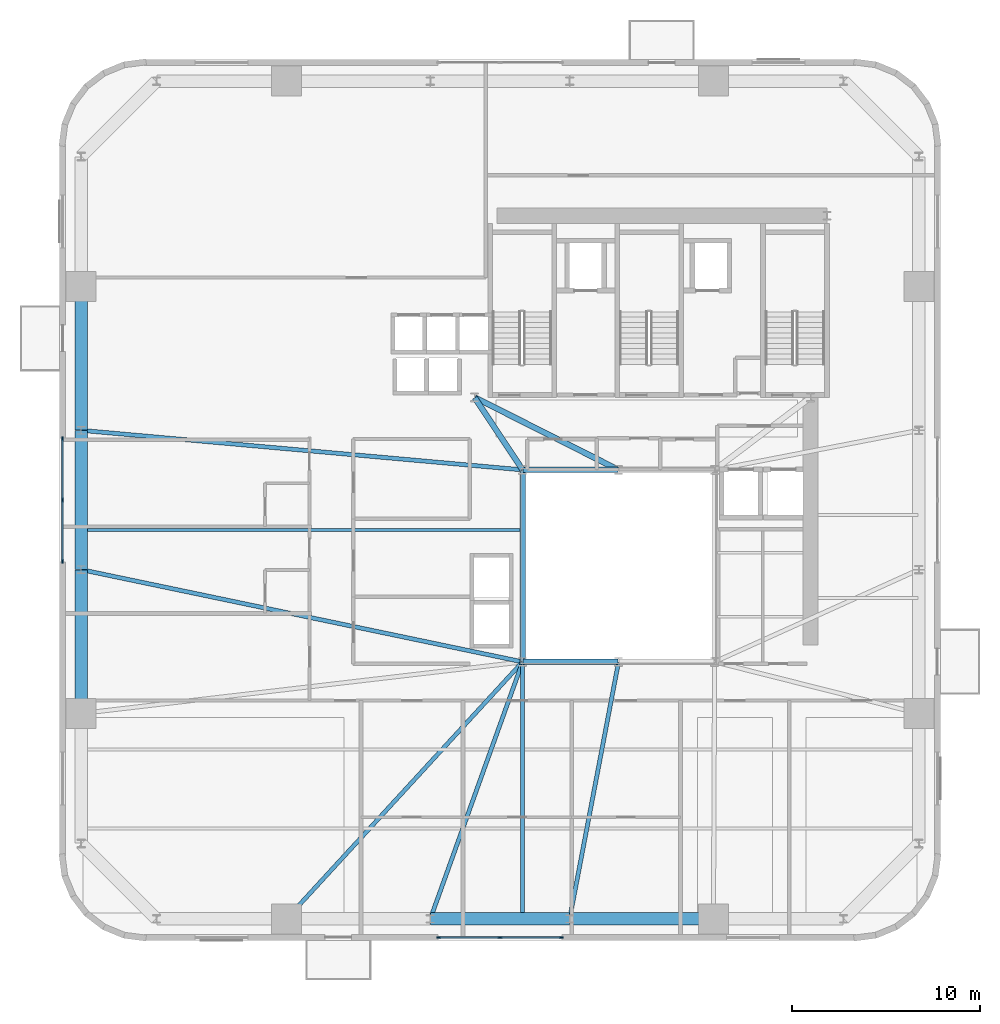
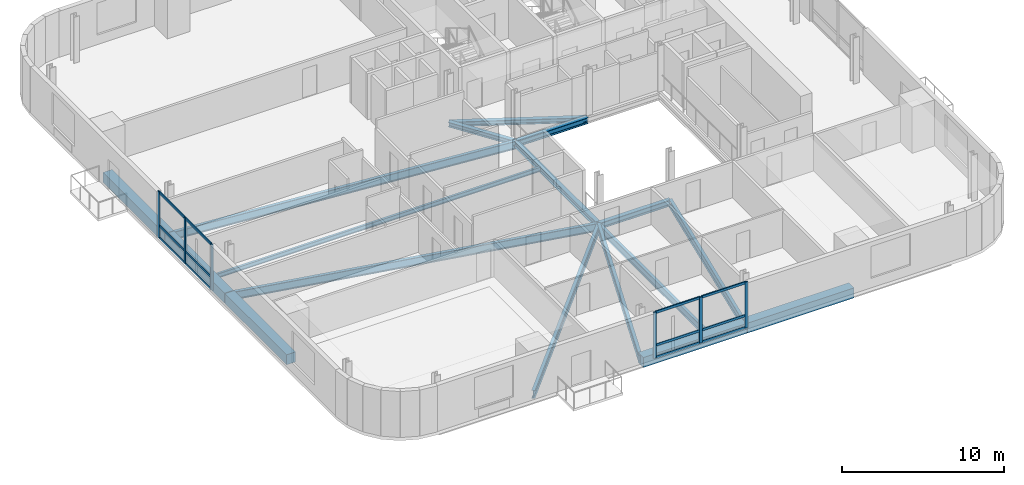
# One storey, part 2 of 14: 18 members, 17 beams, 2 elements without a shape of their own.
"""IFC4 building model written with IfcOpenShell, lengths in metres."""

import ifcopenshell
import ifcopenshell.guid

model = None  # the IFC model being written
_history = None  # IfcOwnerHistory: only IFC2X3 demands one
_inside = {}  # id of a spatial element -> (the spatial element, [elements in it])
_under = {}  # id of a project, library or spatial element -> (it, [spatial elements below it])
_declared = {}  # id of a project -> (the project, [libraries it declares])
_typed = {}  # id of a type object -> (the type object, [elements of that type])
_made_of = {}  # id of a material, layer set ... -> (it, [elements and type objects made of it])


def new_model(schema):
    """Start an empty IFC model of exactly this schema.

    Asked for "IFC4X3", IfcOpenShell would pick the latest addendum, in which some entities
    have other attributes; the version numbers below select the first issue.
    IFC2X3 requires an IfcOwnerHistory on every rooted entity: one is made here for all.
    """
    global model, _history
    if schema == "IFC4X3":
        model = ifcopenshell.file(schema_version=(4, 3, 0, 0))
    else:
        model = ifcopenshell.file(schema=schema)
    _inside.clear()
    _under.clear()
    _declared.clear()
    _typed.clear()
    _made_of.clear()
    _history = None
    if model.schema == "IFC2X3":
        org = make("IfcOrganization", Name="unknown")
        user = make(
            "IfcPersonAndOrganization",
            ThePerson=make("IfcPerson", FamilyName="unknown"),
            TheOrganization=org,
        )
        app = make(
            "IfcApplication",
            ApplicationDeveloper=org,
            Version="unknown",
            ApplicationFullName="unknown",
            ApplicationIdentifier="unknown",
        )
        _history = make(
            "IfcOwnerHistory",
            OwningUser=user,
            OwningApplication=app,
            ChangeAction="ADDED",
            CreationDate=0,
        )
    return model


def make(cls, **values):
    """One entity of the class cls with the attributes given. An attribute that is None is left unset."""
    return model.create_entity(
        cls, **{name: value for name, value in values.items() if value is not None}
    )


def rooted(cls, **values):
    """An entity with a GlobalId (a new one), such as an element, a storey or a relation."""
    return make(cls, GlobalId=ifcopenshell.guid.new(), OwnerHistory=_history, **values)


def si_unit(unit_type, name, prefix=None):
    """IfcSIUnit, for example si_unit("LENGTHUNIT", "METRE", prefix="MILLI")."""
    return make("IfcSIUnit", UnitType=unit_type, Prefix=prefix, Name=name)


def assignment(units):
    """IfcUnitAssignment: the units of a project."""
    return None if units is None else make("IfcUnitAssignment", Units=units)


def point(xyz):
    """IfcCartesianPoint."""
    return None if xyz is None else make("IfcCartesianPoint", Coordinates=xyz)


def direction(xyz):
    """IfcDirection."""
    return None if xyz is None else make("IfcDirection", DirectionRatios=xyz)


def frame(location, z_axis=None, x_axis=None):
    """IfcAxis2Placement3D, a coordinate frame: its origin and axes. An axis left out is left unset."""
    return make(
        "IfcAxis2Placement3D",
        Location=point(location),
        Axis=direction(z_axis),
        RefDirection=direction(x_axis),
    )


def frame_2d(location, x_axis=None):
    """IfcAxis2Placement2D, a coordinate frame in the plane: its origin and x axis."""
    return make(
        "IfcAxis2Placement2D", Location=point(location), RefDirection=direction(x_axis)
    )


def origin():
    """The frame at (0, 0, 0) with its axes left unset."""
    return frame((0.0, 0.0, 0.0))


def origin_2d():
    """The frame at (0, 0) in the plane with its x axis left unset."""
    return frame_2d((0.0, 0.0))


def place(relative_to, where):
    """IfcLocalPlacement: puts the frame where relative to a parent placement (None: the world)."""
    return make(
        "IfcLocalPlacement", PlacementRelTo=relative_to, RelativePlacement=where
    )


def context(
    kind, dimensions, precision=None, world=None, true_north=None, identifier=None
):
    """IfcGeometricRepresentationContext, for example the 3D "Model" context."""
    return make(
        "IfcGeometricRepresentationContext",
        ContextIdentifier=identifier,
        ContextType=kind,
        CoordinateSpaceDimension=dimensions,
        Precision=precision,
        WorldCoordinateSystem=world,
        TrueNorth=true_north,
    )


def subcontext(parent, identifier, kind, view, scale=None):
    """IfcGeometricRepresentationSubContext, for example "Body" below "Model"."""
    return make(
        "IfcGeometricRepresentationSubContext",
        ContextIdentifier=identifier,
        ContextType=kind,
        ParentContext=parent,
        TargetScale=scale,
        TargetView=view,
    )


def project(units=None, contexts=None):
    """IfcProject with its units and contexts."""
    return rooted(
        "IfcProject",
        Name="project",
        RepresentationContexts=contexts,
        UnitsInContext=assignment(units),
    )


def spatial(cls, under=None, at=None, **own):
    """A site, building, storey or space (cls), placed at a placement, below another one or the project."""
    s = rooted(cls, ObjectPlacement=at, **own)
    if under is not None:
        _under.setdefault(under.id(), (under, []))[1].append(s)
    return s


def profile(cls, at=None, kind="AREA", **sizes):
    """A parametric profile (cls). Its sizes go by their IFC names, for example OverallWidth=200.0."""
    return make(cls, ProfileType=kind, Position=at, **sizes)


def rectangle(**sizes):
    """IfcRectangleProfileDef."""
    return profile("IfcRectangleProfileDef", **sizes)


def i_section(**sizes):
    """IfcIShapeProfileDef."""
    return profile("IfcIShapeProfileDef", **sizes)


def extrude(swept, where, along, depth):
    """IfcExtrudedAreaSolid: the profile swept, set in the frame where, extruded along a direction by depth."""
    return make(
        "IfcExtrudedAreaSolid",
        SweptArea=swept,
        Position=where,
        ExtrudedDirection=direction(along),
        Depth=depth,
    )


def shape(context_of_items, identifier, shape_type, items):
    """IfcShapeRepresentation: the items that make up one representation, for example the "Body"."""
    return make(
        "IfcShapeRepresentation",
        ContextOfItems=context_of_items,
        RepresentationIdentifier=identifier,
        RepresentationType=shape_type,
        Items=items,
    )


def source(mapping_origin, context_of_items, identifier, shape_type, items):
    """IfcRepresentationMap: a shape defined once, which mapped items show again and again."""
    return make(
        "IfcRepresentationMap",
        MappingOrigin=mapping_origin,
        MappedRepresentation=shape(context_of_items, identifier, shape_type, items),
    )


def transform(
    local_origin,
    x_axis=None,
    y_axis=None,
    z_axis=None,
    scale=None,
    scale2=None,
    scale3=None,
    uniform=True,
):
    """IfcCartesianTransformationOperator3D, or its non-uniform kind. x_axis, y_axis, z_axis: its Axis1, 2, 3."""
    if uniform:
        return make(
            "IfcCartesianTransformationOperator3D",
            Axis1=direction(x_axis),
            Axis2=direction(y_axis),
            LocalOrigin=point(local_origin),
            Scale=scale,
            Axis3=direction(z_axis),
        )
    return make(
        "IfcCartesianTransformationOperator3DnonUniform",
        Axis1=direction(x_axis),
        Axis2=direction(y_axis),
        LocalOrigin=point(local_origin),
        Scale=scale,
        Axis3=direction(z_axis),
        Scale2=scale2,
        Scale3=scale3,
    )


def mapped(mapping_source, mapping_target):
    """IfcMappedItem: shows the shape of a source again, moved by a transform."""
    return make(
        "IfcMappedItem", MappingSource=mapping_source, MappingTarget=mapping_target
    )


def material(Name=None, Category=None):
    """IfcMaterial."""
    return make("IfcMaterial", Name=Name, Category=Category)


def material_profile(
    of_material, cross_section, Name=None, Category=None, Priority=None
):
    """IfcMaterialProfile: a cross section and its material."""
    return make(
        "IfcMaterialProfile",
        Name=Name,
        Material=of_material,
        Profile=cross_section,
        Priority=Priority,
        Category=Category,
    )


def profile_set(profiles, Name=None, composite=None):
    """IfcMaterialProfileSet."""
    return make(
        "IfcMaterialProfileSet",
        Name=Name,
        MaterialProfiles=profiles,
        CompositeProfile=composite,
    )


def made_of(thing, what):
    """Note that an element or type object is made of a material, layer set ...; save() writes the relation."""
    if what is not None:
        _made_of.setdefault(what.id(), (what, []))[1].append(thing)
    return thing


def type_object(cls, material=None, **own):
    """A type object (cls), such as IfcWallType, which elements share."""
    return made_of(rooted(cls, **own), material)


def element(
    cls,
    number,
    at=None,
    inside=None,
    cuts=None,
    type_object=None,
    material=None,
    context=None,
    identifier="Body",
    shape_type=None,
    held_by="IfcProductDefinitionShape",
    body=None,
    shapes=None,
    **own,
):
    """One element of the class cls, such as IfcWall. Its Tag is "e" and its number.

    at: its placement. inside: the storey or other place that contains it. cuts: it is an
    opening in that element (IfcRelVoidsElement). A single representation is given by context,
    identifier, shape_type and body (its items); several are given by shapes. held_by: the class
    of the entity that holds the representations. save() writes the other relations.
    """
    e = rooted(cls, Tag="e%d" % number, ObjectPlacement=at, **own)
    if body is not None:
        shapes = [shape(context, identifier, shape_type, body)]
    if shapes is not None:
        e.Representation = make(held_by, Representations=shapes)
    if inside is not None:
        _inside.setdefault(inside.id(), (inside, []))[1].append(e)
    if cuts is not None:
        rooted(
            "IfcRelVoidsElement", RelatingBuildingElement=cuts, RelatedOpeningElement=e
        )
    if type_object is not None:
        _typed.setdefault(type_object.id(), (type_object, []))[1].append(e)
    return made_of(e, material)


def aggregate(whole, parts):
    """IfcRelAggregates: a whole, such as a stair, and the parts it consists of."""
    return rooted("IfcRelAggregates", RelatingObject=whole, RelatedObjects=parts)


def save(model, path):
    """Write the relations noted so far, then the file.

    IfcRelAggregates (storeys below a building ...), IfcRelContainedInSpatialStructure (elements
    in a storey), IfcRelDefinesByType, IfcRelAssociatesMaterial and IfcRelDeclares: one each for
    every whole, place, type object, material and project.
    """
    for whole, parts in _under.values():
        aggregate(whole, parts)
    for where, things in _inside.values():
        rooted(
            "IfcRelContainedInSpatialStructure",
            RelatedElements=things,
            RelatingStructure=where,
        )
    for kind, things in _typed.values():
        rooted("IfcRelDefinesByType", RelatedObjects=things, RelatingType=kind)
    for what, things in _made_of.values():
        rooted("IfcRelAssociatesMaterial", RelatedObjects=things, RelatingMaterial=what)
    for by, libraries in _declared.values():
        rooted("IfcRelDeclares", RelatingContext=by, RelatedDefinitions=libraries)
    model.write(path)


model = new_model("IFC4")

# Units and contexts
model_context = context("Model", 3, precision=1e-05, world=origin(), true_north=direction((0.0, 1.0)))
body_context = subcontext(model_context, "Body", "Model", "MODEL_VIEW")
ifc_project = project(units=[si_unit("LENGTHUNIT", "METRE"), si_unit("AREAUNIT", "SQUARE_METRE"), si_unit("VOLUMEUNIT", "CUBIC_METRE"), si_unit("PLANEANGLEUNIT", "RADIAN"), si_unit("MASSUNIT", "GRAM", prefix="KILO")], contexts=[model_context])

# Site, building, storey
site_placement = place(None, origin())
site = spatial("IfcSite", under=ifc_project, at=site_placement, CompositionType="ELEMENT")
building_placement = place(site_placement, origin())
building = spatial("IfcBuilding", under=site, at=building_placement, Name="Vardaveli Station Tower", CompositionType="ELEMENT")
storey_placement = place(building_placement, frame((0.0, 0.0, 148.300048828125)))
storey = spatial("IfcBuildingStorey", under=building, at=storey_placement, Name="L38", CompositionType="ELEMENT", Elevation=148.300048828125)

# Beams
ifc_material_1 = material(Name="Structural steel S355J2", Category="steel")
ifc_material_profile_1 = material_profile(ifc_material_1, i_section(OverallWidth=0.300048828125, OverallDepth=0.449951171875, WebThickness=0.013916015625, FlangeThickness=0.02587890625, FilletRadius=0.027099609375, at=origin_2d()), Name="HEB 450")
ifc_profile_set_1 = profile_set([ifc_material_profile_1], Name="Structural steel S355J2")
beam_type_1 = type_object("IfcBeamType", Name="BM-HEB450", PredefinedType="BEAM", material=ifc_profile_set_1)
shared_shape_1 = source(origin(), body_context, "Body", "SweptSolid", [
    extrude(i_section(OverallWidth=0.300048828125, OverallDepth=0.449951171875, WebThickness=0.013916015625, FlangeThickness=0.02587890625, FilletRadius=0.027099609375, at=origin_2d()), origin(), (0.0, 0.0, 1.0), 5.06005859375),
])
for number, where, z_axis, x_axis, name in (
    (1, (31.219970703125, 16.60009765625, -0.465087890625), (1.0, 0.0, 0.0), (0.0, 1.0, 0.0), "ABM-L38-01"),
    (2, (36.280029296875, 26.800048828125, -0.465087890625), (-1.0, 0.0, 0.0), (0.0, -1.0, 0.0), "ABM-L38-05"),
):
    element("IfcBeam", number, at=place(storey_placement, frame(where, z_axis=z_axis, x_axis=x_axis)), inside=storey, type_object=beam_type_1, Name=name, PredefinedType="BEAM", context=body_context, shape_type="MappedRepresentation", body=[
        mapped(shared_shape_1, transform((0.0, 0.0, 0.0), scale=1.0)),
    ])
shared_shape_2 = source(origin(), body_context, "Body", "SweptSolid", [
    extrude(i_section(OverallWidth=0.300048828125, OverallDepth=0.449951171875, WebThickness=0.013916015625, FlangeThickness=0.02587890625, FilletRadius=0.027099609375, at=origin_2d()), origin(), (0.0, 0.0, 1.0), 10.159912109375),
])
beam_1_placement = place(storey_placement, frame((31.199951171875, 26.780029296875, -0.465087890625), z_axis=(0.0, -1.0, 0.0), x_axis=(1.0, 0.0, 0.0)))
element("IfcBeam", 3, at=beam_1_placement, inside=storey, type_object=beam_type_1, Name="ABM-L38-06", PredefinedType="BEAM", context=body_context, shape_type="MappedRepresentation", body=[
    mapped(shared_shape_2, transform((0.0, 0.0, 0.0), scale=1.0)),
])
ifc_material_profile_2 = material_profile(ifc_material_1, i_section(OverallWidth=0.300048828125, OverallDepth=0.360107421875, WebThickness=0.012451171875, FlangeThickness=0.0224609375, FilletRadius=0.027099609375, at=origin_2d()), Name="HEB 360")
ifc_profile_set_2 = profile_set([ifc_material_profile_2], Name="Structural steel S355J2")
beam_type_2 = type_object("IfcBeamType", Name="BM-HEB360", PredefinedType="BEAM", material=ifc_profile_set_2)
shared_shape_3 = source(origin(), body_context, "Body", "SweptSolid", [
    extrude(i_section(OverallWidth=0.300048828125, OverallDepth=0.360107421875, WebThickness=0.012451171875, FlangeThickness=0.0224609375, FilletRadius=0.027099609375, at=origin_2d()), origin(), (0.0, 0.0, 1.0), 4.577880859375),
])
beam_2_placement = place(storey_placement, frame((31.18896484375, 26.816650390625, -0.420166015625), z_axis=(-0.55218702139, 0.833720272879, 0.0), x_axis=(-0.833720272879, -0.55218702139, 0.0)))
element("IfcBeam", 4, at=beam_2_placement, inside=storey, type_object=beam_type_2, Name="CBM-L38-01", PredefinedType="BEAM", context=body_context, shape_type="MappedRepresentation", body=[
    mapped(shared_shape_3, transform((0.0, 0.0, 0.0), scale=1.0)),
])
shared_shape_4 = source(origin(), body_context, "Body", "SweptSolid", [
    extrude(i_section(OverallWidth=0.300048828125, OverallDepth=0.360107421875, WebThickness=0.012451171875, FlangeThickness=0.0224609375, FilletRadius=0.027099609375, at=origin_2d()), origin(), (0.0, 0.0, 1.0), 8.524169921875),
])
beam_3_placement = place(storey_placement, frame((28.66796875, 30.64111328125, -0.420166015625), z_axis=(0.893255584708, -0.449549174605, 0.0), x_axis=(0.449549174605, 0.893255584708, 0.0)))
element("IfcBeam", 5, at=beam_3_placement, inside=storey, type_object=beam_type_2, Name="CBM-L38-03", PredefinedType="BEAM", context=body_context, shape_type="MappedRepresentation", body=[
    mapped(shared_shape_4, transform((0.0, 0.0, 0.0), scale=1.0)),
])
ifc_material_2 = material(Name="Precast concrete C45/55", Category="concrete")
ifc_material_profile_3 = material_profile(ifc_material_2, rectangle(XDim=0.64990234375, YDim=0.75, at=origin_2d()), Name="LPB 650x750")
ifc_profile_set_3 = profile_set([ifc_material_profile_3], Name="Precast concrete C45/55")
beam_type_3 = type_object("IfcBeamType", Name="BM-LPB-750", PredefinedType="BEAM", material=ifc_profile_set_3)
shared_shape_5 = source(origin(), body_context, "Body", "SweptSolid", [
    extrude(rectangle(XDim=0.64990234375, YDim=0.75, at=origin_2d()), origin(), (0.0, 0.0, 1.0), 7.60009765625),
])
for number, where, z_axis, x_axis, name in (
    (6, (33.719970703125, 2.949951171875, -0.614990234375), (1.0, 0.0, 0.0), (0.0, 1.0, 0.0), "RBM-L38-03"),
    (7, (7.75, 36.52001953125, -0.614990234375), (0.0, -1.0, 0.0), (1.0, 0.0, 0.0), "RBM-L38-19"),
    (8, (7.75, 21.47998046875, -0.614990234375), (0.0, -1.0, 0.0), (1.0, 0.0, 0.0), "RBM-L38-21"),
):
    element("IfcBeam", number, at=place(storey_placement, frame(where, z_axis=z_axis, x_axis=x_axis)), inside=storey, type_object=beam_type_3, Name=name, PredefinedType="BEAM", context=body_context, shape_type="MappedRepresentation", body=[
        mapped(shared_shape_5, transform((0.0, 0.0, 0.0), scale=1.0)),
    ])
shared_shape_6 = source(origin(), body_context, "Body", "SweptSolid", [
    extrude(rectangle(XDim=0.64990234375, YDim=0.75, at=origin_2d()), origin(), (0.0, 0.0, 1.0), 7.35986328125),
])
for number, where, z_axis, x_axis, name in (
    (9, (26.320068359375, 2.949951171875, -0.614990234375), (1.0, 0.0, 0.0), (0.0, 1.0, 0.0), "RBM-L38-02"),
    (10, (7.75, 28.8798828125, -0.614990234375), (0.0, -1.0, 0.0), (1.0, 0.0, 0.0), "RBM-L38-20"),
):
    element("IfcBeam", number, at=place(storey_placement, frame(where, z_axis=z_axis, x_axis=x_axis)), inside=storey, type_object=beam_type_3, Name=name, PredefinedType="BEAM", context=body_context, shape_type="MappedRepresentation", body=[
        mapped(shared_shape_6, transform((0.0, 0.0, 0.0), scale=1.0)),
    ])
ifc_material_profile_4 = material_profile(ifc_material_1, i_section(OverallWidth=0.2099609375, OverallDepth=0.550048828125, WebThickness=0.010986328125, FlangeThickness=0.01708984375, FilletRadius=0.02392578125, at=origin_2d()), Name="IPE 550")
ifc_profile_set_4 = profile_set([ifc_material_profile_4], Name="Structural steel S355J2")
beam_type_4 = type_object("IfcBeamType", Name="BM-IPE550", PredefinedType="BEAM", material=ifc_profile_set_4)
shared_shape_7 = source(origin(), body_context, "Body", "SweptSolid", [
    extrude(i_section(OverallWidth=0.2099609375, OverallDepth=0.550048828125, WebThickness=0.010986328125, FlangeThickness=0.01708984375, FilletRadius=0.02392578125, at=origin_2d()), origin(), (0.0, 0.0, 1.0), 13.469970703125),
])
beam_4_placement = place(storey_placement, frame((31.199951171875, 2.989990234375, -0.51513671875), z_axis=(0.0, 1.0, 0.0), x_axis=(-1.0, 0.0, 0.0)))
element("IfcBeam", 11, at=beam_4_placement, inside=storey, type_object=beam_type_4, Name="NSM-L38-S1", PredefinedType="BEAM", context=body_context, shape_type="MappedRepresentation", body=[
    mapped(shared_shape_7, transform((0.0, 0.0, 0.0), scale=1.0)),
])
ifc_material_profile_5 = material_profile(ifc_material_1, i_section(OverallWidth=0.159912109375, OverallDepth=0.330078125, WebThickness=0.007568359375, FlangeThickness=0.011474609375, FilletRadius=0.01806640625, at=origin_2d()), Name="IPE 330")
ifc_profile_set_5 = profile_set([ifc_material_profile_5], Name="Structural steel S355J2")
beam_type_5 = type_object("IfcBeamType", Name="BM-IPE330", PredefinedType="JOIST", material=ifc_profile_set_5)
shared_shape_8 = source(origin(), body_context, "Body", "SweptSolid", [
    extrude(i_section(OverallWidth=0.159912109375, OverallDepth=0.330078125, WebThickness=0.007568359375, FlangeThickness=0.011474609375, FilletRadius=0.01806640625, at=origin_2d()), origin(), (0.0, 0.0, 1.0), 23.2978515625),
])
beam_5_placement = place(storey_placement, frame((7.7900390625, 23.60009765625, -0.405029296875), z_axis=(1.0, 0.0, 0.0), x_axis=(0.0, 1.0, 0.0)))
element("IfcBeam", 12, at=beam_5_placement, inside=storey, type_object=beam_type_5, Name="SJ-L38-W06", PredefinedType="JOIST", context=body_context, shape_type="MappedRepresentation", body=[
    mapped(shared_shape_8, transform((0.0, 0.0, 0.0), scale=1.0)),
])
ifc_material_profile_6 = material_profile(ifc_material_1, i_section(OverallWidth=0.219970703125, OverallDepth=0.60009765625, WebThickness=0.011962890625, FlangeThickness=0.01904296875, FilletRadius=0.02392578125, at=origin_2d()), Name="IPE 600")
ifc_profile_set_6 = profile_set([ifc_material_profile_6], Name="Structural steel S355J2")
beam_type_6 = type_object("IfcBeamType", Name="BM-IPE600", PredefinedType="BEAM", material=ifc_profile_set_6)
shared_shape_9 = source(origin(), body_context, "Body", "SweptSolid", [
    extrude(i_section(OverallWidth=0.219970703125, OverallDepth=0.60009765625, WebThickness=0.011962890625, FlangeThickness=0.01904296875, FilletRadius=0.02392578125, at=origin_2d()), origin(), (0.0, 0.0, 1.0), 18.49560546875),
])
beam_6_placement = place(storey_placement, frame((18.673583984375, 2.96484375, -0.5400390625), z_axis=(0.676535341891, 0.736410165039, 0.0), x_axis=(-0.736410165039, 0.676535341891, 0.0)))
element("IfcBeam", 13, at=beam_6_placement, inside=storey, type_object=beam_type_6, Name="GBM-L38-01", PredefinedType="BEAM", context=body_context, shape_type="MappedRepresentation", body=[
    mapped(shared_shape_9, transform((0.0, 0.0, 0.0), scale=1.0)),
])
shared_shape_10 = source(origin(), body_context, "Body", "SweptSolid", [
    extrude(i_section(OverallWidth=0.219970703125, OverallDepth=0.60009765625, WebThickness=0.011962890625, FlangeThickness=0.01904296875, FilletRadius=0.02392578125, at=origin_2d()), origin(), (0.0, 0.0, 1.0), 14.462890625),
])
beam_7_placement = place(storey_placement, frame((26.306640625, 2.96875, -0.5400390625), z_axis=(0.337880090533, 0.941189165057, 0.0), x_axis=(-0.941189165057, 0.337880090533, 0.0)))
element("IfcBeam", 14, at=beam_7_placement, inside=storey, type_object=beam_type_6, Name="GBM-L38-02", PredefinedType="BEAM", context=body_context, shape_type="MappedRepresentation", body=[
    mapped(shared_shape_10, transform((0.0, 0.0, 0.0), scale=1.0)),
])
shared_shape_11 = source(origin(), body_context, "Body", "SweptSolid", [
    extrude(i_section(OverallWidth=0.219970703125, OverallDepth=0.60009765625, WebThickness=0.011962890625, FlangeThickness=0.01904296875, FilletRadius=0.02392578125, at=origin_2d()), origin(), (0.0, 0.0, 1.0), 13.855224609375),
])
beam_8_placement = place(storey_placement, frame((33.703857421875, 2.9697265625, -0.5400390625), z_axis=(0.187097533125, 0.982341342456, 0.0), x_axis=(-0.982341342456, 0.187097533125, 0.0)))
element("IfcBeam", 15, at=beam_8_placement, inside=storey, type_object=beam_type_6, Name="GBM-L38-03", PredefinedType="BEAM", context=body_context, shape_type="MappedRepresentation", body=[
    mapped(shared_shape_11, transform((0.0, 0.0, 0.0), scale=1.0)),
])
shared_shape_12 = source(origin(), body_context, "Body", "SweptSolid", [
    extrude(i_section(OverallWidth=0.219970703125, OverallDepth=0.60009765625, WebThickness=0.011962890625, FlangeThickness=0.01904296875, FilletRadius=0.02392578125, at=origin_2d()), origin(), (0.0, 0.0, 1.0), 23.50390625),
])
beam_9_placement = place(storey_placement, frame((7.77001953125, 28.898193359375, -0.5400390625), z_axis=(0.996014142198, -0.08919545135, 0.0), x_axis=(0.08919545135, 0.996014142198, 0.0)))
element("IfcBeam", 16, at=beam_9_placement, inside=storey, type_object=beam_type_6, Name="GBM-L38-08", PredefinedType="BEAM", context=body_context, shape_type="MappedRepresentation", body=[
    mapped(shared_shape_12, transform((0.0, 0.0, 0.0), scale=1.0)),
])
shared_shape_13 = source(origin(), body_context, "Body", "SweptSolid", [
    extrude(i_section(OverallWidth=0.219970703125, OverallDepth=0.60009765625, WebThickness=0.011962890625, FlangeThickness=0.01904296875, FilletRadius=0.02392578125, at=origin_2d()), origin(), (0.0, 0.0, 1.0), 23.91650390625),
])
beam_10_placement = place(storey_placement, frame((7.76953125, 21.495849609375, -0.5400390625), z_axis=(0.978858547354, -0.204538368703, 0.0), x_axis=(0.204538368703, 0.978858547354, 0.0)))
element("IfcBeam", 17, at=beam_10_placement, inside=storey, type_object=beam_type_6, Name="GBM-L38-09", PredefinedType="BEAM", context=body_context, shape_type="MappedRepresentation", body=[
    mapped(shared_shape_13, transform((0.0, 0.0, 0.0), scale=1.0)),
])

# Curtain wall, members
ifc_material_3 = material(Name="Travertine stone and solar-control glass", Category="masonry")
curtain_wall_type = type_object("IfcCurtainWallType", Name="CW-SYS-2", PredefinedType="NOTDEFINED", material=ifc_material_3)
curtain_wall_1_placement = place(storey_placement, origin())
curtain_wall_1 = element("IfcCurtainWall", 18, at=curtain_wall_1_placement, inside=storey, type_object=curtain_wall_type, Name="CW-L38-S", PredefinedType="NOTDEFINED")
ifc_material_4 = material(Name="Anodised aluminium alloy 6063-T6", Category="aluminium")
ifc_material_profile_7 = material_profile(ifc_material_4, rectangle(XDim=0.0849609375, YDim=0.179931640625, at=origin_2d()), Name="CWT 85x180")
ifc_profile_set_7 = profile_set([ifc_material_profile_7], Name="Anodised aluminium alloy 6063-T6")
member_type_1 = type_object("IfcMemberType", Name="CW-SYS-2-TRAN", PredefinedType="NOTDEFINED", material=ifc_profile_set_7)
shared_shape_14 = source(origin(), body_context, "Body", "SweptSolid", [
    extrude(rectangle(XDim=0.0849609375, YDim=0.179931640625, at=origin_2d()), origin(), (0.0, 0.0, 1.0), 3.172607421875),
])
member_1_placement = place(storey_placement, frame((26.784912109375, 1.9599609375, 0.04248046875), z_axis=(1.0, 0.0, 0.0), x_axis=(0.0, 1.0, 0.0)))
member_1 = element("IfcMember", 19, at=member_1_placement, type_object=member_type_1, Name="CW-2 transom 1.1", ObjectType="TRANSOM", PredefinedType="USERDEFINED", context=body_context, shape_type="MappedRepresentation", body=[
    mapped(shared_shape_14, transform((0.0, 0.0, 0.0), scale=1.0)),
])
member_2_placement = place(storey_placement, frame((26.784912109375, 1.9599609375, 0.949951171875), z_axis=(1.0, 0.0, 0.0), x_axis=(0.0, 1.0, 0.0)))
member_2 = element("IfcMember", 20, at=member_2_placement, type_object=member_type_1, Name="CW-2 transom 1.2", ObjectType="TRANSOM", PredefinedType="USERDEFINED", context=body_context, shape_type="MappedRepresentation", body=[
    mapped(shared_shape_14, transform((0.0, 0.0, 0.0), scale=1.0)),
])
member_3_placement = place(storey_placement, frame((26.784912109375, 1.9599609375, 3.41748046875), z_axis=(1.0, 0.0, 0.0), x_axis=(0.0, 1.0, 0.0)))
member_3 = element("IfcMember", 21, at=member_3_placement, type_object=member_type_1, Name="CW-2 transom 1.3", ObjectType="TRANSOM", PredefinedType="USERDEFINED", context=body_context, shape_type="MappedRepresentation", body=[
    mapped(shared_shape_14, transform((0.0, 0.0, 0.0), scale=1.0)),
])
member_4_placement = place(storey_placement, frame((30.04248046875, 1.9599609375, 0.04248046875), z_axis=(1.0, 0.0, 0.0), x_axis=(0.0, 1.0, 0.0)))
member_4 = element("IfcMember", 22, at=member_4_placement, type_object=member_type_1, Name="CW-2 transom 2.1", ObjectType="TRANSOM", PredefinedType="USERDEFINED", context=body_context, shape_type="MappedRepresentation", body=[
    mapped(shared_shape_14, transform((0.0, 0.0, 0.0), scale=1.0)),
])
member_5_placement = place(storey_placement, frame((30.04248046875, 1.9599609375, 0.949951171875), z_axis=(1.0, 0.0, 0.0), x_axis=(0.0, 1.0, 0.0)))
member_5 = element("IfcMember", 23, at=member_5_placement, type_object=member_type_1, Name="CW-2 transom 2.2", ObjectType="TRANSOM", PredefinedType="USERDEFINED", context=body_context, shape_type="MappedRepresentation", body=[
    mapped(shared_shape_14, transform((0.0, 0.0, 0.0), scale=1.0)),
])
member_6_placement = place(storey_placement, frame((30.04248046875, 1.9599609375, 3.41748046875), z_axis=(1.0, 0.0, 0.0), x_axis=(0.0, 1.0, 0.0)))
member_6 = element("IfcMember", 24, at=member_6_placement, type_object=member_type_1, Name="CW-2 transom 2.3", ObjectType="TRANSOM", PredefinedType="USERDEFINED", context=body_context, shape_type="MappedRepresentation", body=[
    mapped(shared_shape_14, transform((0.0, 0.0, 0.0), scale=1.0)),
])

curtain_wall_2_placement = place(storey_placement, origin())
curtain_wall_2 = element("IfcCurtainWall", 25, at=curtain_wall_2_placement, inside=storey, type_object=curtain_wall_type, Name="CW-L38-W", PredefinedType="NOTDEFINED")
member_7_placement = place(storey_placement, frame((6.760009765625, 28.4150390625, 0.04248046875), z_axis=(0.0, -1.0, 0.0), x_axis=(1.0, 0.0, 0.0)))
member_7 = element("IfcMember", 26, at=member_7_placement, type_object=member_type_1, Name="CW-2 transom 1.1", ObjectType="TRANSOM", PredefinedType="USERDEFINED", context=body_context, shape_type="MappedRepresentation", body=[
    mapped(shared_shape_14, transform((0.0, 0.0, 0.0), scale=1.0)),
])
member_8_placement = place(storey_placement, frame((6.760009765625, 28.4150390625, 0.949951171875), z_axis=(0.0, -1.0, 0.0), x_axis=(1.0, 0.0, 0.0)))
member_8 = element("IfcMember", 27, at=member_8_placement, type_object=member_type_1, Name="CW-2 transom 1.2", ObjectType="TRANSOM", PredefinedType="USERDEFINED", context=body_context, shape_type="MappedRepresentation", body=[
    mapped(shared_shape_14, transform((0.0, 0.0, 0.0), scale=1.0)),
])
member_9_placement = place(storey_placement, frame((6.760009765625, 28.4150390625, 3.41748046875), z_axis=(0.0, -1.0, 0.0), x_axis=(1.0, 0.0, 0.0)))
member_9 = element("IfcMember", 28, at=member_9_placement, type_object=member_type_1, Name="CW-2 transom 1.3", ObjectType="TRANSOM", PredefinedType="USERDEFINED", context=body_context, shape_type="MappedRepresentation", body=[
    mapped(shared_shape_14, transform((0.0, 0.0, 0.0), scale=1.0)),
])
shared_shape_15 = source(origin(), body_context, "Body", "SweptSolid", [
    extrude(rectangle(XDim=0.0849609375, YDim=0.179931640625, at=origin_2d()), origin(), (0.0, 0.0, 1.0), 3.17236328125),
])
member_10_placement = place(storey_placement, frame((6.760009765625, 25.157470703125, 0.04248046875), z_axis=(0.0, -1.0, 0.0), x_axis=(1.0, 0.0, 0.0)))
member_10 = element("IfcMember", 29, at=member_10_placement, type_object=member_type_1, Name="CW-2 transom 2.1", ObjectType="TRANSOM", PredefinedType="USERDEFINED", context=body_context, shape_type="MappedRepresentation", body=[
    mapped(shared_shape_15, transform((0.0, 0.0, 0.0), scale=1.0)),
])
member_11_placement = place(storey_placement, frame((6.760009765625, 25.157470703125, 0.949951171875), z_axis=(0.0, -1.0, 0.0), x_axis=(1.0, 0.0, 0.0)))
member_11 = element("IfcMember", 30, at=member_11_placement, type_object=member_type_1, Name="CW-2 transom 2.2", ObjectType="TRANSOM", PredefinedType="USERDEFINED", context=body_context, shape_type="MappedRepresentation", body=[
    mapped(shared_shape_15, transform((0.0, 0.0, 0.0), scale=1.0)),
])
member_12_placement = place(storey_placement, frame((6.760009765625, 25.157470703125, 3.41748046875), z_axis=(0.0, -1.0, 0.0), x_axis=(1.0, 0.0, 0.0)))
member_12 = element("IfcMember", 31, at=member_12_placement, type_object=member_type_1, Name="CW-2 transom 2.3", ObjectType="TRANSOM", PredefinedType="USERDEFINED", context=body_context, shape_type="MappedRepresentation", body=[
    mapped(shared_shape_15, transform((0.0, 0.0, 0.0), scale=1.0)),
])

# Member
ifc_material_profile_8 = material_profile(ifc_material_4, rectangle(XDim=0.0849609375, YDim=0.219970703125, at=origin_2d()), Name="CWM 85x220")
ifc_profile_set_8 = profile_set([ifc_material_profile_8], Name="Anodised aluminium alloy 6063-T6")
member_type_2 = type_object("IfcMemberType", Name="CW-SYS-2-MULL", PredefinedType="MULLION", material=ifc_profile_set_8)
shared_shape_16 = source(origin(), body_context, "Body", "SweptSolid", [
    extrude(rectangle(XDim=0.0849609375, YDim=0.219970703125, at=origin_2d()), origin(), (0.0, 0.0, 1.0), 3.4599609375),
])
member_13_placement = place(storey_placement, frame((26.742431640625, 1.9599609375, 0.0), z_axis=(0.0, 0.0, 1.0), x_axis=(0.0, 1.0, 0.0)))
member_13 = element("IfcMember", 32, at=member_13_placement, type_object=member_type_2, Name="CW-2 mullion 1", PredefinedType="MULLION", context=body_context, shape_type="MappedRepresentation", body=[
    mapped(shared_shape_16, transform((0.0, 0.0, 0.0), scale=1.0)),
])

member_14_placement = place(storey_placement, frame((30.0, 1.9599609375, 0.0), z_axis=(0.0, 0.0, 1.0), x_axis=(0.0, 1.0, 0.0)))
member_14 = element("IfcMember", 33, at=member_14_placement, type_object=member_type_2, Name="CW-2 mullion 2", PredefinedType="MULLION", context=body_context, shape_type="MappedRepresentation", body=[
    mapped(shared_shape_16, transform((0.0, 0.0, 0.0), scale=1.0)),
])

member_15_placement = place(storey_placement, frame((33.257568359375, 1.9599609375, 0.0), z_axis=(0.0, 0.0, 1.0), x_axis=(0.0, 1.0, 0.0)))
member_15 = element("IfcMember", 34, at=member_15_placement, type_object=member_type_2, Name="CW-2 mullion 3", PredefinedType="MULLION", context=body_context, shape_type="MappedRepresentation", body=[
    mapped(shared_shape_16, transform((0.0, 0.0, 0.0), scale=1.0)),
])

aggregate(curtain_wall_1, [member_13, member_14, member_15, member_1, member_2, member_3, member_4, member_5, member_6])

member_16_placement = place(storey_placement, frame((6.760009765625, 28.45751953125, 0.0), z_axis=(0.0, 0.0, 1.0), x_axis=(1.0, 0.0, 0.0)))
member_16 = element("IfcMember", 35, at=member_16_placement, type_object=member_type_2, Name="CW-2 mullion 1", PredefinedType="MULLION", context=body_context, shape_type="MappedRepresentation", body=[
    mapped(shared_shape_16, transform((0.0, 0.0, 0.0), scale=1.0)),
])

member_17_placement = place(storey_placement, frame((6.760009765625, 25.199951171875, 0.0), z_axis=(0.0, 0.0, 1.0), x_axis=(1.0, 0.0, 0.0)))
member_17 = element("IfcMember", 36, at=member_17_placement, type_object=member_type_2, Name="CW-2 mullion 2", PredefinedType="MULLION", context=body_context, shape_type="MappedRepresentation", body=[
    mapped(shared_shape_16, transform((0.0, 0.0, 0.0), scale=1.0)),
])

member_18_placement = place(storey_placement, frame((6.760009765625, 21.9423828125, 0.0), z_axis=(0.0, 0.0, 1.0), x_axis=(1.0, 0.0, 0.0)))
member_18 = element("IfcMember", 37, at=member_18_placement, type_object=member_type_2, Name="CW-2 mullion 3", PredefinedType="MULLION", context=body_context, shape_type="MappedRepresentation", body=[
    mapped(shared_shape_16, transform((0.0, 0.0, 0.0), scale=1.0)),
])

aggregate(curtain_wall_2, [member_16, member_17, member_18, member_7, member_8, member_9, member_10, member_11, member_12])

save(model, "model.ifc")
